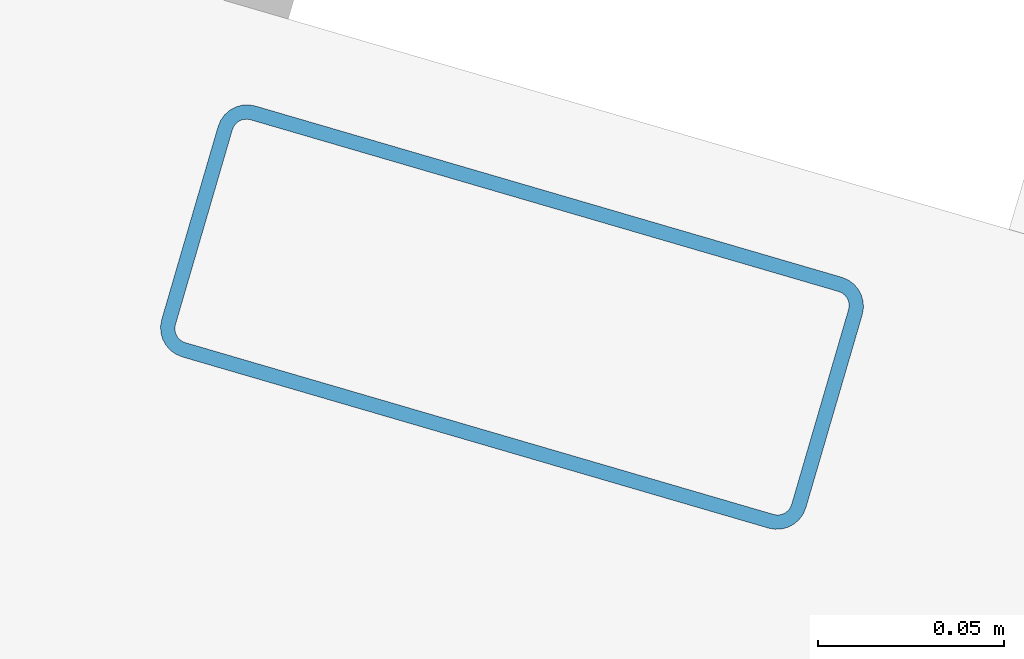
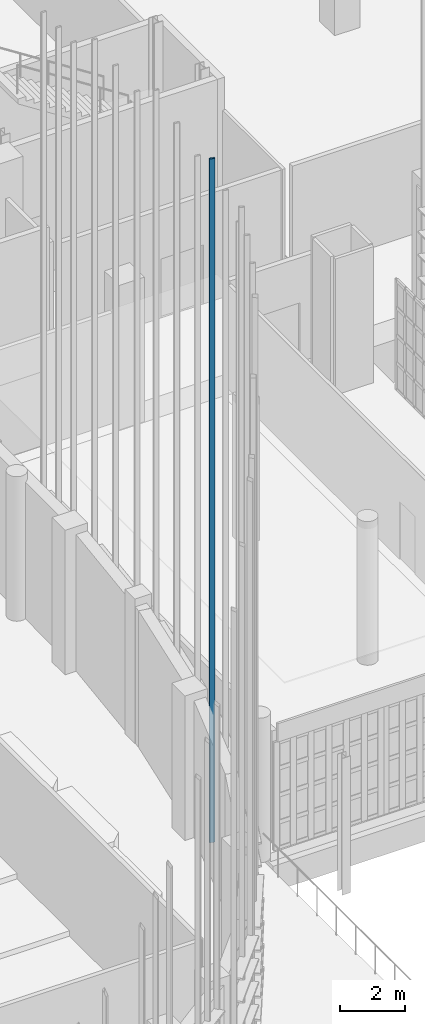
# One storey, part 109 of 372: 1 member.
"""IFC4 building model written with IfcOpenShell, lengths in metres."""

from ifc_helpers import new_model, si_unit, direction, frame, origin, origin_2d, place, context, subcontext, project, spatial, hollow_rectangle, extrude, material, material_profile, profile_set, type_object, element, save


model = new_model("IFC4")

# Units and contexts
model_context = context("Model", 3, precision=1e-05, world=origin(), true_north=direction((0.0, 1.0)))
body_context = subcontext(model_context, "Body", "Model", "MODEL_VIEW")
ifc_project = project(units=[si_unit("LENGTHUNIT", "METRE"), si_unit("AREAUNIT", "SQUARE_METRE"), si_unit("VOLUMEUNIT", "CUBIC_METRE"), si_unit("PLANEANGLEUNIT", "RADIAN"), si_unit("MASSUNIT", "GRAM", prefix="KILO")], contexts=[model_context])

# Site, building, storey
site_placement = place(None, origin())
site = spatial("IfcSite", under=ifc_project, at=site_placement, CompositionType="ELEMENT")
building_placement = place(site_placement, origin())
building = spatial("IfcBuilding", under=site, at=building_placement, Name="Kaelora Sail Theatre", CompositionType="ELEMENT")
storey_placement = place(building_placement, origin())
storey = spatial("IfcBuildingStorey", under=building, at=storey_placement, Name="L00", CompositionType="ELEMENT", Elevation=0.0)

# Member
ifc_material = material(Name="Anodised aluminium 6063-T6", Category="aluminium")
ifc_material_profile = material_profile(ifc_material, hollow_rectangle(XDim=0.070068359375, YDim=0.179931640625, WallThickness=0.00390625, InnerFilletRadius=0.00390625, OuterFilletRadius=0.008056640625, at=origin_2d()), Name="ALU-MULL 70x180x4")
ifc_profile_set = profile_set([ifc_material_profile], Name="Anodised aluminium 6063-T6")
member_type = type_object("IfcMemberType", Name="ARC-MEM-PST-160", PredefinedType="POST", material=ifc_profile_set)
member_placement = place(storey_placement, frame((57.326904296875, 40.119384765625, 0.0), z_axis=(0.0, 0.0, 1.0), x_axis=(-0.280331656578, -0.959903204662, 0.0)))
element("IfcMember", 1, at=member_placement, inside=storey, type_object=member_type, Name="Main Theatre Sail Drum solar louvre vertical support post C5-1", PredefinedType="POST", context=body_context, shape_type="SweptSolid", body=[
    extrude(hollow_rectangle(XDim=0.070068359375, YDim=0.179931640625, WallThickness=0.00390625, InnerFilletRadius=0.00390625, OuterFilletRadius=0.008056640625, at=origin_2d()), origin(), (0.0, 0.0, 1.0), 25.54248046875),
])

save(model, "model.ifc")
